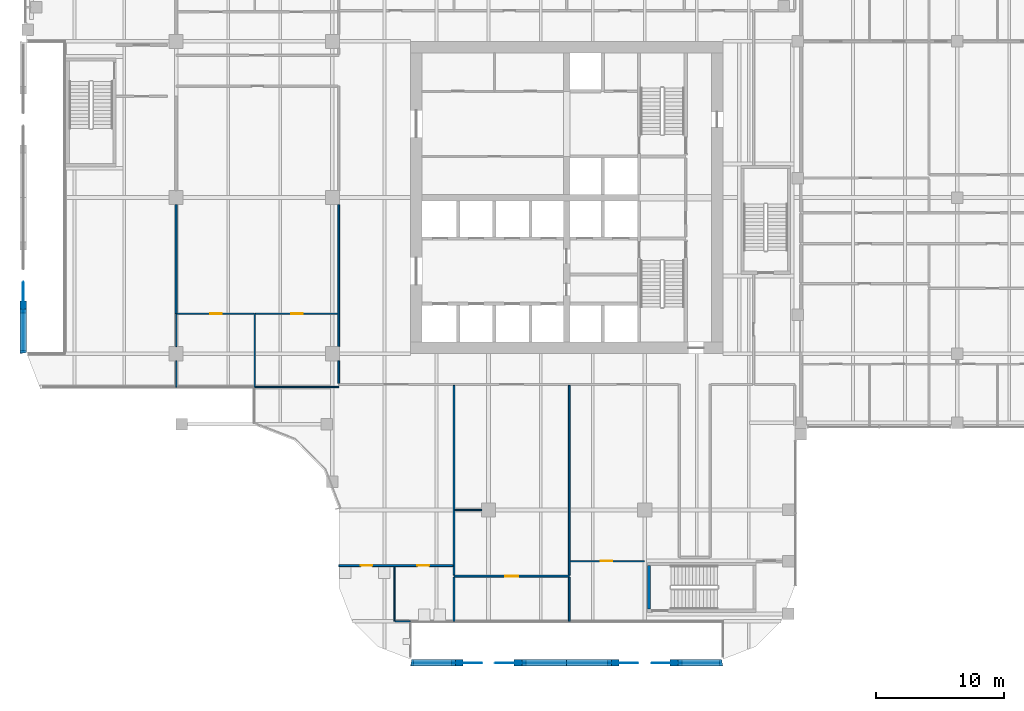
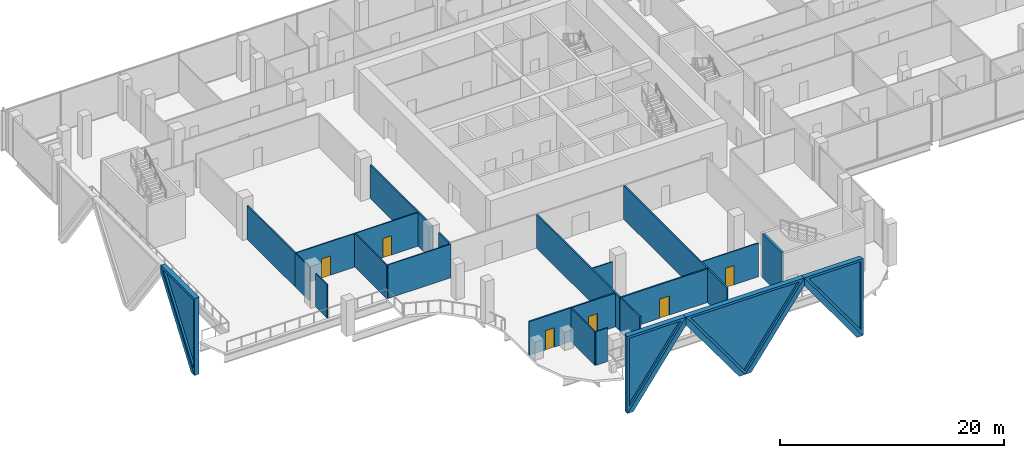
# One storey, part 21 of 33: 29 walls, 6 doors, 4 plates, 10 openings.
"""IFC4 building model written with IfcOpenShell, lengths in metres."""

from ifc_helpers import new_model, si_unit, direction, frame, frame_2d, origin, place, context, subcontext, project, spatial, polyline, rectangle, outline, extrude, faceted_brep, source, transform, mapped, material, layer, layer_set, type_object, element, fill, save


model = new_model("IFC4")

# Units and contexts
model_context = context("Model", 3, precision=1e-05, world=origin(), true_north=direction((0.0, 1.0)))
body_context = subcontext(model_context, "Body", "Model", "MODEL_VIEW")
ifc_project = project(units=[si_unit("LENGTHUNIT", "METRE"), si_unit("AREAUNIT", "SQUARE_METRE"), si_unit("VOLUMEUNIT", "CUBIC_METRE"), si_unit("PLANEANGLEUNIT", "RADIAN"), si_unit("MASSUNIT", "GRAM", prefix="KILO")], contexts=[model_context])

# Site, building, storey
site_placement = place(None, origin())
site = spatial("IfcSite", under=ifc_project, at=site_placement, CompositionType="ELEMENT")
building_placement = place(site_placement, origin())
building = spatial("IfcBuilding", under=site, at=building_placement, Name="Tessera Gate Towers", CompositionType="ELEMENT")
storey_placement = place(building_placement, frame((0.0, 0.0, 12.0)))
storey = spatial("IfcBuildingStorey", under=building, at=storey_placement, Name="L02", CompositionType="ELEMENT", Elevation=12.0)

# Walls
ifc_material_1 = material(Name="Concrete C40/50", Category="concrete")
ifc_layer_1 = layer(ifc_material_1, 0.25)
ifc_layer_set_1 = layer_set([ifc_layer_1], Name="CORE ENCLOSURE WALL 250")
wall_type_1 = type_object("IfcWallType", Name="CORE ENCLOSURE WALL 250", PredefinedType="SOLIDWALL", material=ifc_layer_set_1)
wall_1_placement = place(storey_placement, frame((49.125, 4.449951171875, 0.0), z_axis=(0.0, 0.0, 1.0), x_axis=(0.0, 1.0, 0.0)))
element("IfcWall", 1, at=wall_1_placement, inside=storey, type_object=wall_type_1, Name="L02 ST4 enclosure wall", PredefinedType="SOLIDWALL", context=body_context, shape_type="SweptSolid", body=[
    extrude(rectangle(XDim=3.400146484375, YDim=0.25, at=frame_2d((1.7001953125, 0.0))), origin(), (0.0, 0.0, 1.0), 4.800048828125),
])
ifc_material_2 = material(Name="Gypsum board on steel studs, mineral wool", Category="steel")
ifc_layer_2 = layer(ifc_material_2, 0.14990234375)
ifc_layer_set_2 = layer_set([ifc_layer_2], Name="CORRIDOR WALL 150")
wall_type_2 = type_object("IfcWallType", Name="CORRIDOR WALL 150", PredefinedType="PARTITIONING", material=ifc_layer_set_2)
wall_2_placement = place(storey_placement, frame((24.89990234375, 22.075927734375, 0.0), z_axis=(0.0, 0.0, 1.0), x_axis=(0.0, 1.0, 0.0)))
element("IfcWall", 2, at=wall_2_placement, inside=storey, type_object=wall_type_2, Name="PODIUM-L02-PW-038", PredefinedType="PARTITIONING", context=body_context, shape_type="SweptSolid", body=[
    extrude(rectangle(XDim=1.773193359375, YDim=0.14990234375, at=frame_2d((0.88671875, 0.0))), origin(), (0.0, 0.0, 1.0), 3.672119140625),
])
wall_3_placement = place(storey_placement, frame((24.89990234375, 24.950927734375, 0.0), z_axis=(0.0, 0.0, 1.0), x_axis=(0.0, 1.0, 0.0)))
element("IfcWall", 3, at=wall_3_placement, inside=storey, type_object=wall_type_2, Name="PODIUM-L02-PW-054", PredefinedType="PARTITIONING", context=body_context, shape_type="SweptSolid", body=[
    extrude(rectangle(XDim=11.09814453125, YDim=0.14990234375, at=frame_2d((5.549072265625, 0.0))), origin(), (0.0, 0.0, 1.0), 3.672119140625),
])
ifc_material_3 = material(Name="Glass", Category="glass")
ifc_layer_3 = layer(ifc_material_3, 0.10009765625)
ifc_layer_set_3 = layer_set([ifc_layer_3], Name="GLAZED PARTITION 100")
wall_type_3 = type_object("IfcWallType", Name="GLAZED PARTITION 100", PredefinedType="PARTITIONING", material=ifc_layer_set_3)
wall_4_placement = place(storey_placement, frame((12.199951171875, 21.800048828125, 0.0), z_axis=(0.0, 0.0, 1.0), x_axis=(0.0, 1.0, 0.0)))
element("IfcWall", 4, at=wall_4_placement, inside=storey, type_object=wall_type_3, Name="PODIUM-L02-PW-031", PredefinedType="PARTITIONING", context=body_context, shape_type="SweptSolid", body=[
    extrude(rectangle(XDim=2.049072265625, YDim=0.10009765625, at=frame_2d((1.0244140625, 0.0))), origin(), (0.0, 0.0, 1.0), 3.672119140625),
])
wall_5_placement = place(storey_placement, frame((18.38623046875, 21.800048828125, 0.0), z_axis=(0.0, 0.0, 1.0), x_axis=(1.0, 0.0, 0.0)))
element("IfcWall", 5, at=wall_5_placement, inside=storey, type_object=wall_type_3, Name="PODIUM-L02-PW-033", PredefinedType="PARTITIONING", context=body_context, shape_type="SweptSolid", body=[
    extrude(rectangle(XDim=6.513671875, YDim=0.10009765625, at=frame_2d((3.2568359375, 0.0))), origin(), (0.0, 0.0, 1.0), 3.672119140625),
])
wall_6_placement = place(storey_placement, frame((12.199951171875, 24.950927734375, 0.0), z_axis=(0.0, 0.0, 1.0), x_axis=(0.0, 1.0, 0.0)))
element("IfcWall", 6, at=wall_6_placement, inside=storey, type_object=wall_type_3, Name="PODIUM-L02-PW-053", PredefinedType="PARTITIONING", context=body_context, shape_type="SweptSolid", body=[
    extrude(rectangle(XDim=2.572998046875, YDim=0.10009765625, at=frame_2d((1.28662109375, 0.0))), origin(), (0.0, 0.0, 1.0), 3.672119140625),
])

# Wall, opening, door
wall_7_placement = place(storey_placement, frame((18.2841796875, 27.52490234375, 0.0), z_axis=(0.0, 0.0, 1.0), x_axis=(-1.0, 0.0, 0.0)))
wall_7 = element("IfcWall", 7, at=wall_7_placement, inside=storey, type_object=wall_type_3, Name="PODIUM-L02-PW-056", PredefinedType="PARTITIONING", context=body_context, shape_type="SweptSolid", body=[
    extrude(rectangle(XDim=6.00830078125, YDim=0.10009765625, at=frame_2d((3.004150390625, 0.0))), origin(), (0.0, 0.0, 1.0), 3.672119140625),
])
shared_shape_1 = source(origin(), body_context, "Body", "SweptSolid", [
    extrude(rectangle(XDim=0.89990234375, YDim=2.10009765625, at=frame_2d((0.449951171875, 1.050048828125))), frame((0.0, 0.06005859375, 0.0), z_axis=(0.0, -1.0, 0.0), x_axis=(1.0, 0.0, 0.0)), (0.0, 0.0, 1.0), 0.1201171875),
])
opening_1_placement = place(wall_7_placement, frame((2.50830078125, 0.0, 0.0)))
opening_1 = element("IfcOpeningElement", 8, at=opening_1_placement, cuts=wall_7, Name="Opening D690-P03-09", PredefinedType="OPENING", context=body_context, shape_type="MappedRepresentation", body=[
    mapped(shared_shape_1, transform((0.0, 0.0, 0.0), scale=1.0)),
])
ifc_material_4 = material(Name="Glass in aluminium frame", Category="aluminium")
door_type_1 = type_object("IfcDoorType", Name="GLAZED DOOR 900 NOT RATED", OperationType="NOTDEFINED", PredefinedType="DOOR", material=ifc_material_4)
shared_shape_2 = source(origin(), body_context, "Body", "SweptSolid", [
    extrude(rectangle(XDim=0.89990234375, YDim=2.10009765625, at=frame_2d((0.449951171875, 1.050048828125))), frame((0.0, 0.02490234375, 0.0), z_axis=(0.0, -1.0, 0.0), x_axis=(1.0, 0.0, 0.0)), (0.0, 0.0, 1.0), 0.050048828125),
])
door_1_placement = place(opening_1_placement, origin())
door_1 = element("IfcDoor", 9, at=door_1_placement, inside=storey, type_object=door_type_1, Name="PODIUM-L02-PD-029", OperationType="SINGLE_SWING_RIGHT", OverallHeight=2.10009765625, OverallWidth=0.89990234375, PredefinedType="DOOR", context=body_context, shape_type="MappedRepresentation", body=[
    mapped(shared_shape_2, transform((0.0, 0.0, 0.0), scale=1.0)),
])
fill(opening_1, door_1)

wall_8_placement = place(storey_placement, frame((24.823974609375, 27.52490234375, 0.0), z_axis=(0.0, 0.0, 1.0), x_axis=(-1.0, 0.0, 0.0)))
wall_8 = element("IfcWall", 10, at=wall_8_placement, inside=storey, type_object=wall_type_3, Name="PODIUM-L02-PW-057", PredefinedType="PARTITIONING", context=body_context, shape_type="SweptSolid", body=[
    extrude(rectangle(XDim=6.437744140625, YDim=0.10009765625, at=frame_2d((3.21875, 0.0))), origin(), (0.0, 0.0, 1.0), 3.672119140625),
])
opening_2_placement = place(wall_8_placement, frame((2.73779296875, 0.0, 0.0)))
opening_2 = element("IfcOpeningElement", 11, at=opening_2_placement, cuts=wall_8, Name="Opening D690-P03-10", PredefinedType="OPENING", context=body_context, shape_type="MappedRepresentation", body=[
    mapped(shared_shape_1, transform((0.0, 0.0, 0.0), scale=1.0)),
])
door_2_placement = place(opening_2_placement, origin())
door_2 = element("IfcDoor", 12, at=door_2_placement, inside=storey, type_object=door_type_1, Name="PODIUM-L02-PD-031", OperationType="SINGLE_SWING_RIGHT", OverallHeight=2.10009765625, OverallWidth=0.89990234375, PredefinedType="DOOR", context=body_context, shape_type="MappedRepresentation", body=[
    mapped(shared_shape_2, transform((0.0, 0.0, 0.0), scale=1.0)),
])
fill(opening_2, door_2)

# Walls
ifc_material_5 = material(Name="Gypsum board on steel studs", Category="steel")
ifc_layer_4 = layer(ifc_material_5, 0.10009765625)
ifc_layer_set_4 = layer_set([ifc_layer_4], Name="PARTITION 100")
wall_type_4 = type_object("IfcWallType", Name="PARTITION 100", PredefinedType="PARTITIONING", material=ifc_layer_set_4)
wall_9_placement = place(storey_placement, frame((29.248046875, 3.5, 0.0), z_axis=(0.0, 0.0, 1.0), x_axis=(0.0, 1.0, 0.0)))
element("IfcWall", 13, at=wall_9_placement, inside=storey, type_object=wall_type_4, Name="PODIUM-L02-PW-001", PredefinedType="PARTITIONING", context=body_context, shape_type="SweptSolid", body=[
    extrude(rectangle(XDim=4.27392578125, YDim=0.10009765625, at=frame_2d((2.136962890625, 0.0))), origin(), (0.0, 0.0, 1.0), 3.672119140625),
])
wall_10_placement = place(storey_placement, frame((29.298828125, 3.5, 0.0), z_axis=(0.0, 0.0, 1.0), x_axis=(1.0, 0.0, 0.0)))
element("IfcWall", 14, at=wall_10_placement, inside=storey, type_object=wall_type_4, Name="PODIUM-L02-PW-002", PredefinedType="PARTITIONING", context=body_context, shape_type="SweptSolid", body=[
    extrude(rectangle(XDim=1.201171875, YDim=0.10009765625, at=frame_2d((0.6005859375, 0.0))), origin(), (0.0, 0.0, 1.0), 3.672119140625),
])

# Wall, opening, door
wall_11_placement = place(storey_placement, frame((48.7666015625, 8.199951171875, 0.0), z_axis=(0.0, 0.0, 1.0), x_axis=(-1.0, 0.0, 0.0)))
wall_11 = element("IfcWall", 15, at=wall_11_placement, inside=storey, type_object=wall_type_4, Name="PODIUM-L02-PW-009", PredefinedType="PARTITIONING", context=body_context, shape_type="SweptSolid", body=[
    extrude(rectangle(XDim=5.79052734375, YDim=0.10009765625, at=frame_2d((2.895263671875, 0.0))), origin(), (0.0, 0.0, 1.0), 3.672119140625),
])
opening_3_placement = place(wall_11_placement, frame((2.49072265625, 0.0, 0.0)))
opening_3 = element("IfcOpeningElement", 16, at=opening_3_placement, cuts=wall_11, Name="Opening D190-P03-17", PredefinedType="OPENING", context=body_context, shape_type="MappedRepresentation", body=[
    mapped(shared_shape_1, transform((0.0, 0.0, 0.0), scale=1.0)),
])
ifc_material_6 = material(Name="Timber door leaf in steel frame", Category="steel")
door_type_2 = type_object("IfcDoorType", Name="INTERNAL DOOR 900 NOT RATED", OperationType="NOTDEFINED", PredefinedType="DOOR", material=ifc_material_6)
door_3_placement = place(opening_3_placement, origin())
door_3 = element("IfcDoor", 17, at=door_3_placement, inside=storey, type_object=door_type_2, Name="PODIUM-L02-PD-028", OperationType="SINGLE_SWING_RIGHT", OverallHeight=2.10009765625, OverallWidth=0.89990234375, PredefinedType="DOOR", context=body_context, shape_type="MappedRepresentation", body=[
    mapped(shared_shape_2, transform((0.0, 0.0, 0.0), scale=1.0)),
])
fill(opening_3, door_3)

# Walls
wall_12_placement = place(storey_placement, frame((36.050048828125, 12.199951171875, 0.0), z_axis=(0.0, 0.0, 1.0), x_axis=(-1.0, 0.0, 0.0)))
element("IfcWall", 18, at=wall_12_placement, inside=storey, type_object=wall_type_4, Name="PODIUM-L02-PW-014", PredefinedType="PARTITIONING", context=body_context, shape_type="SweptSolid", body=[
    extrude(rectangle(XDim=2.074951171875, YDim=0.10009765625, at=frame_2d((1.03759765625, 0.0))), origin(), (0.0, 0.0, 1.0), 3.672119140625),
])
wall_13_placement = place(storey_placement, frame((18.3349609375, 21.800048828125, 0.0), z_axis=(0.0, 0.0, 1.0), x_axis=(0.0, 1.0, 0.0)))
element("IfcWall", 19, at=wall_13_placement, inside=storey, type_object=wall_type_4, Name="PODIUM-L02-PW-032", PredefinedType="PARTITIONING", context=body_context, shape_type="SweptSolid", body=[
    extrude(rectangle(XDim=5.724853515625, YDim=0.10009765625, at=frame_2d((2.8623046875, 0.0))), origin(), (0.0, 0.0, 1.0), 3.672119140625),
])
ifc_material_7 = material(Name="Gypsum board on steel studs, mineral wool", Category="steel")
ifc_layer_5 = layer(ifc_material_7, 0.14990234375)
ifc_layer_set_5 = layer_set([ifc_layer_5], Name="TENANCY WALL 150")
wall_type_5 = type_object("IfcWallType", Name="TENANCY WALL 150", PredefinedType="PARTITIONING", material=ifc_layer_set_5)
for number, where, z_axis, x_axis, name in (
    (20, (33.89990234375, 3.5, 0.0), (0.0, 0.0, 1.0), (0.0, 1.0, 0.0), "PODIUM-L02-PW-003"),
    (21, (42.89990234375, 3.5, 0.0), (0.0, 0.0, 1.0), (0.0, 1.0, 0.0), "PODIUM-L02-PW-004"),
):
    element("IfcWall", number, at=place(storey_placement, frame(where, z_axis=z_axis, x_axis=x_axis)), inside=storey, type_object=wall_type_5, Name=name, PredefinedType="PARTITIONING", context=body_context, shape_type="SweptSolid", body=[
        extrude(rectangle(XDim=3.448974609375, YDim=0.14990234375, at=frame_2d((1.724609375, 0.0))), origin(), (0.0, 0.0, 1.0), 3.672119140625),
    ])

# Wall, opening, door
wall_14_placement = place(storey_placement, frame((42.89990234375, 7.02490234375, 0.0), z_axis=(0.0, 0.0, 1.0), x_axis=(-1.0, 0.0, 0.0)))
wall_14 = element("IfcWall", 22, at=wall_14_placement, inside=storey, type_object=wall_type_5, Name="PODIUM-L02-PW-005", PredefinedType="PARTITIONING", context=body_context, shape_type="SweptSolid", body=[
    extrude(rectangle(XDim=9.0, YDim=0.14990234375, at=frame_2d((4.5, 0.0))), origin(), (0.0, 0.0, 1.0), 3.672119140625),
])
shared_shape_3 = source(origin(), body_context, "Body", "SweptSolid", [
    extrude(rectangle(XDim=1.0, YDim=2.10009765625, at=frame_2d((0.5, 1.050048828125))), frame((0.0, 0.0849609375, 0.0), z_axis=(0.0, -1.0, 0.0), x_axis=(1.0, 0.0, 0.0)), (0.0, 0.0, 1.0), 0.169921875),
])
opening_4_placement = place(wall_14_placement, frame((4.0, 0.0, 0.0)))
opening_4 = element("IfcOpeningElement", 23, at=opening_4_placement, cuts=wall_14, Name="Opening D1100-P03-01", PredefinedType="OPENING", context=body_context, shape_type="MappedRepresentation", body=[
    mapped(shared_shape_3, transform((0.0, 0.0, 0.0), scale=1.0)),
])
ifc_material_8 = material(Name="Timber door leaf in steel frame", Category="steel")
door_type_3 = type_object("IfcDoorType", Name="INTERNAL DOOR 1000 NOT RATED", OperationType="NOTDEFINED", PredefinedType="DOOR", material=ifc_material_8)
shared_shape_4 = source(origin(), body_context, "Body", "SweptSolid", [
    extrude(rectangle(XDim=1.0, YDim=2.10009765625, at=frame_2d((0.5, 1.050048828125))), frame((0.0, 0.02490234375, 0.0), z_axis=(0.0, -1.0, 0.0), x_axis=(1.0, 0.0, 0.0)), (0.0, 0.0, 1.0), 0.050048828125),
])
door_4_placement = place(opening_4_placement, origin())
door_4 = element("IfcDoor", 24, at=door_4_placement, inside=storey, type_object=door_type_3, Name="PODIUM-L02-PD-041", OperationType="SINGLE_SWING_RIGHT", OverallHeight=2.10009765625, OverallWidth=1.0, PredefinedType="DOOR", context=body_context, shape_type="MappedRepresentation", body=[
    mapped(shared_shape_4, transform((0.0, 0.0, 0.0), scale=1.0)),
])
fill(opening_4, door_4)

# Walls
for number, where, z_axis, x_axis, name in (
    (25, (33.89990234375, 7.10107421875, 0.0), (0.0, 0.0, 1.0), (0.0, 1.0, 0.0), "PODIUM-L02-PW-006"),
    (26, (42.89990234375, 7.10107421875, 0.0), (0.0, 0.0, 1.0), (0.0, 1.0, 0.0), "PODIUM-L02-PW-007"),
):
    element("IfcWall", number, at=place(storey_placement, frame(where, z_axis=z_axis, x_axis=x_axis)), inside=storey, type_object=wall_type_5, Name=name, PredefinedType="PARTITIONING", context=body_context, shape_type="SweptSolid", body=[
        extrude(rectangle(XDim=14.822998046875, YDim=0.14990234375, at=frame_2d((7.41162109375, 0.0))), origin(), (0.0, 0.0, 1.0), 3.672119140625),
    ])

# Wall, openings, doors
wall_15_placement = place(storey_placement, frame((33.823974609375, 7.85009765625, 0.0), z_axis=(0.0, 0.0, 1.0), x_axis=(-1.0, 0.0, 0.0)))
wall_15 = element("IfcWall", 27, at=wall_15_placement, inside=storey, type_object=wall_type_5, Name="PODIUM-L02-PW-008", PredefinedType="PARTITIONING", context=body_context, shape_type="SweptSolid", body=[
    extrude(rectangle(XDim=8.924072265625, YDim=0.14990234375, at=frame_2d((4.4619140625, 0.0))), origin(), (0.0, 0.0, 1.0), 3.672119140625),
])
shared_shape_5 = source(origin(), body_context, "Body", "SweptSolid", [
    extrude(rectangle(XDim=0.89990234375, YDim=2.10009765625, at=frame_2d((0.449951171875, 1.050048828125))), frame((0.0, 0.0849609375, 0.0), z_axis=(0.0, -1.0, 0.0), x_axis=(1.0, 0.0, 0.0)), (0.0, 0.0, 1.0), 0.169921875),
])
opening_5_placement = place(wall_15_placement, frame((6.323974609375, 0.0, 0.0)))
opening_5 = element("IfcOpeningElement", 28, at=opening_5_placement, cuts=wall_15, Name="Opening D190-P03-04", PredefinedType="OPENING", context=body_context, shape_type="MappedRepresentation", body=[
    mapped(shared_shape_5, transform((0.0, 0.0, 0.0), scale=1.0)),
])
opening_6_placement = place(wall_15_placement, frame((1.876220703125, 0.0, 0.0)))
opening_6 = element("IfcOpeningElement", 29, at=opening_6_placement, cuts=wall_15, Name="Opening D190-P03-10", PredefinedType="OPENING", context=body_context, shape_type="MappedRepresentation", body=[
    mapped(shared_shape_5, transform((0.0, 0.0, 0.0), scale=1.0)),
])
door_5_placement = place(opening_5_placement, origin())
door_5 = element("IfcDoor", 30, at=door_5_placement, inside=storey, type_object=door_type_2, Name="PODIUM-L02-PD-012", OperationType="SINGLE_SWING_RIGHT", OverallHeight=2.10009765625, OverallWidth=0.89990234375, PredefinedType="DOOR", context=body_context, shape_type="MappedRepresentation", body=[
    mapped(shared_shape_2, transform((0.0, 0.0, 0.0), scale=1.0)),
])
fill(opening_5, door_5)
door_6_placement = place(opening_6_placement, origin())
door_6 = element("IfcDoor", 31, at=door_6_placement, inside=storey, type_object=door_type_2, Name="PODIUM-L02-PD-018", OperationType="SINGLE_SWING_RIGHT", OverallHeight=2.10009765625, OverallWidth=0.89990234375, PredefinedType="DOOR", context=body_context, shape_type="MappedRepresentation", body=[
    mapped(shared_shape_2, transform((0.0, 0.0, 0.0), scale=1.0)),
])
fill(opening_6, door_6)

# Wall
wall_16_placement = place(storey_placement, frame((12.199951171875, 27.52490234375, 0.0), z_axis=(0.0, 0.0, 1.0), x_axis=(0.0, 1.0, 0.0)))
element("IfcWall", 32, at=wall_16_placement, inside=storey, type_object=wall_type_5, Name="PODIUM-L02-PW-055", PredefinedType="PARTITIONING", context=body_context, shape_type="SweptSolid", body=[
    extrude(rectangle(XDim=8.524169921875, YDim=0.14990234375, at=frame_2d((4.26220703125, 0.0))), origin(), (0.0, 0.0, 1.0), 3.672119140625),
])

# Wall, opening, plate
ifc_material_9 = material(Name="Precast concrete C60/75 white", Category="concrete")
ifc_layer_6 = layer(ifc_material_9, 0.5)
ifc_layer_set_6 = layer_set([ifc_layer_6], Name="TB2 foot infill panel")
wall_type_6 = type_object("IfcWallType", Name="TB2 foot infill panel", PredefinedType="SOLIDWALL", material=ifc_layer_set_6)
shared_shape_6 = source(origin(), body_context, "Body", "Brep", [
    faceted_brep([(0.046630859375, -0.25, 0.0), (6.10009765625, -0.25, 8.400146484375), (0.0, -0.25, 8.400146484375), (0.0, -0.25, 0.06640625), (0.09326171875, 0.25, 8.400146484375), (6.10009765625, 0.25, 8.400146484375), (0.09326171875, 0.25, 0.064697265625), (0.046630859375, 0.0, 0.0)], [[[0, 1, 2, 3]], [[4, 5, 6]], [[6, 5, 1, 0, 7]], [[5, 4, 2, 1]], [[7, 0, 3]], [[6, 7, 3, 2, 4]]]),
])
wall_17_placement = place(storey_placement, frame((30.5, 0.25, -3.60009765625), z_axis=(0.0, 0.0, 1.0), x_axis=(1.0, 0.0, 0.0)))
wall_17 = element("IfcWall", 33, at=wall_17_placement, inside=storey, type_object=wall_type_6, Name="Foot infill panel T1 TB2-0001", PredefinedType="SOLIDWALL", context=body_context, shape_type="MappedRepresentation", body=[
    mapped(shared_shape_6, transform((0.0, 0.0, 0.0), scale=1.0)),
])
shared_shape_7 = source(origin(), body_context, "Body", "SweptSolid", [
    extrude(outline(polyline([(0.24658203125, 0.705322265625), (5.61181640625, 8.150146484375), (0.24658203125, 8.150146484375), (0.24658203125, 0.705322265625)])), frame((0.0, 0.260009765625, 0.0), z_axis=(0.0, -1.0, 0.0), x_axis=(1.0, 0.0, 0.0)), (0.0, 0.0, 1.0), 0.52001953125),
])
opening_7_placement = place(wall_17_placement, origin())
opening_7 = element("IfcOpeningElement", 34, at=opening_7_placement, cuts=wall_17, Name="Opening T1-PL1-0564", PredefinedType="OPENING", context=body_context, shape_type="MappedRepresentation", body=[
    mapped(shared_shape_7, transform((0.0, 0.0, 0.0), scale=1.0)),
])
ifc_material_10 = material(Name="Low-e laminated glass", Category="glass")
ifc_layer_7 = layer(ifc_material_10, 0.06005859375)
ifc_layer_set_7 = layer_set([ifc_layer_7], Name="PL1 triangular pane")
plate_type = type_object("IfcPlateType", Name="PL1 triangular pane", PredefinedType="SHEET", material=ifc_layer_set_7)
shared_shape_8 = source(origin(), body_context, "Body", "SweptSolid", [
    extrude(outline(polyline([(0.24658203125, 0.705322265625), (5.61181640625, 8.150146484375), (0.24658203125, 8.150146484375), (0.24658203125, 0.705322265625)])), frame((0.0, 0.030029296875, 0.0), z_axis=(0.0, -1.0, 0.0), x_axis=(1.0, 0.0, 0.0)), (0.0, 0.0, 1.0), 0.06005859375),
])
plate_1_placement = place(opening_7_placement, origin())
plate_1 = element("IfcPlate", 35, at=plate_1_placement, inside=storey, type_object=plate_type, Name="Glass pane T1 PL1-0564", PredefinedType="SHEET", context=body_context, shape_type="MappedRepresentation", body=[
    mapped(shared_shape_8, transform((0.0, 0.0, 0.0), scale=1.0)),
])
fill(opening_7, plate_1)

shared_shape_9 = source(origin(), body_context, "Body", "SweptSolid", [
    extrude(outline(polyline([(6.10009765625, 0.0), (12.199951171875, 8.400146484375), (0.0, 8.400146484375), (6.10009765625, 0.0)])), frame((0.0, 0.25, 0.0), z_axis=(0.0, -1.0, 0.0), x_axis=(1.0, 0.0, 0.0)), (0.0, 0.0, 1.0), 0.5),
])
wall_18_placement = place(storey_placement, frame((36.60009765625, 0.25, -3.60009765625), z_axis=(0.0, 0.0, 1.0), x_axis=(1.0, 0.0, 0.0)))
wall_18 = element("IfcWall", 36, at=wall_18_placement, inside=storey, type_object=wall_type_6, Name="Foot infill panel T1 TB2-0002", PredefinedType="SOLIDWALL", context=body_context, shape_type="MappedRepresentation", body=[
    mapped(shared_shape_9, transform((0.0, 0.0, 0.0), scale=1.0)),
])
shared_shape_10 = source(origin(), body_context, "Body", "SweptSolid", [
    extrude(outline(polyline([(6.10009765625, 0.425537109375), (11.70947265625, 8.150146484375), (0.490478515625, 8.150146484375), (6.10009765625, 0.425537109375)])), frame((0.0, 0.260009765625, 0.0), z_axis=(0.0, -1.0, 0.0), x_axis=(1.0, 0.0, 0.0)), (0.0, 0.0, 1.0), 0.52001953125),
])
opening_8_placement = place(wall_18_placement, origin())
opening_8 = element("IfcOpeningElement", 37, at=opening_8_placement, cuts=wall_18, Name="Opening T1-PL1-0565", PredefinedType="OPENING", context=body_context, shape_type="MappedRepresentation", body=[
    mapped(shared_shape_10, transform((0.0, 0.0, 0.0), scale=1.0)),
])
shared_shape_11 = source(origin(), body_context, "Body", "SweptSolid", [
    extrude(outline(polyline([(6.10009765625, 0.425537109375), (11.70947265625, 8.150146484375), (0.490478515625, 8.150146484375), (6.10009765625, 0.425537109375)])), frame((0.0, 0.030029296875, 0.0), z_axis=(0.0, -1.0, 0.0), x_axis=(1.0, 0.0, 0.0)), (0.0, 0.0, 1.0), 0.06005859375),
])
plate_2_placement = place(opening_8_placement, origin())
plate_2 = element("IfcPlate", 38, at=plate_2_placement, inside=storey, type_object=plate_type, Name="Glass pane T1 PL1-0565", PredefinedType="SHEET", context=body_context, shape_type="MappedRepresentation", body=[
    mapped(shared_shape_11, transform((0.0, 0.0, 0.0), scale=1.0)),
])
fill(opening_8, plate_2)

shared_shape_12 = source(origin(), body_context, "Body", "Brep", [
    faceted_brep([(6.053466796875, -0.25, 0.0), (6.10009765625, -0.25, 0.06640625), (6.10009765625, -0.25, 8.400146484375), (0.0, -0.25, 8.400146484375), (0.0, 0.25, 8.400146484375), (6.0068359375, 0.25, 8.400146484375), (6.0068359375, 0.25, 0.064697265625), (6.053466796875, 0.0, 0.0)], [[[0, 1, 2, 3]], [[4, 5, 6]], [[1, 0, 7]], [[5, 4, 3, 2]], [[4, 6, 7, 0, 3]], [[1, 7, 6, 5, 2]]]),
])
wall_19_placement = place(storey_placement, frame((48.800048828125, 0.25, -3.60009765625), z_axis=(0.0, 0.0, 1.0), x_axis=(1.0, 0.0, 0.0)))
wall_19 = element("IfcWall", 39, at=wall_19_placement, inside=storey, type_object=wall_type_6, Name="Foot infill panel T1 TB2-0003", PredefinedType="SOLIDWALL", context=body_context, shape_type="MappedRepresentation", body=[
    mapped(shared_shape_12, transform((0.0, 0.0, 0.0), scale=1.0)),
])
shared_shape_13 = source(origin(), body_context, "Body", "SweptSolid", [
    extrude(outline(polyline([(5.853515625, 8.150146484375), (0.48828125, 8.150146484375), (5.853515625, 0.705322265625), (5.853515625, 8.150146484375)])), frame((0.0, 0.260009765625, 0.0), z_axis=(0.0, -1.0, 0.0), x_axis=(1.0, 0.0, 0.0)), (0.0, 0.0, 1.0), 0.52001953125),
])
opening_9_placement = place(wall_19_placement, origin())
opening_9 = element("IfcOpeningElement", 40, at=opening_9_placement, cuts=wall_19, Name="Opening T1-PL1-0566", PredefinedType="OPENING", context=body_context, shape_type="MappedRepresentation", body=[
    mapped(shared_shape_13, transform((0.0, 0.0, 0.0), scale=1.0)),
])
shared_shape_14 = source(origin(), body_context, "Body", "SweptSolid", [
    extrude(outline(polyline([(5.853515625, 8.150146484375), (0.48828125, 8.150146484375), (5.853515625, 0.705322265625), (5.853515625, 8.150146484375)])), frame((0.0, 0.030029296875, 0.0), z_axis=(0.0, -1.0, 0.0), x_axis=(1.0, 0.0, 0.0)), (0.0, 0.0, 1.0), 0.06005859375),
])
plate_3_placement = place(opening_9_placement, origin())
plate_3 = element("IfcPlate", 41, at=plate_3_placement, inside=storey, type_object=plate_type, Name="Glass pane T1 PL1-0566", PredefinedType="SHEET", context=body_context, shape_type="MappedRepresentation", body=[
    mapped(shared_shape_14, transform((0.0, 0.0, 0.0), scale=1.0)),
])
fill(opening_9, plate_3)

wall_20_placement = place(storey_placement, frame((0.25, 30.5, -3.60009765625), z_axis=(0.0, 0.0, 1.0), x_axis=(0.0, -1.0, 0.0)))
wall_20 = element("IfcWall", 42, at=wall_20_placement, inside=storey, type_object=wall_type_6, Name="Foot infill panel T1 TB2-0006", PredefinedType="SOLIDWALL", context=body_context, shape_type="MappedRepresentation", body=[
    mapped(shared_shape_12, transform((0.0, 0.0, 0.0), scale=1.0)),
])
opening_10_placement = place(wall_20_placement, origin())
opening_10 = element("IfcOpeningElement", 43, at=opening_10_placement, cuts=wall_20, Name="Opening T1-PL1-0569", PredefinedType="OPENING", context=body_context, shape_type="MappedRepresentation", body=[
    mapped(shared_shape_13, transform((0.0, 0.0, 0.0), scale=1.0)),
])
plate_4_placement = place(opening_10_placement, origin())
plate_4 = element("IfcPlate", 44, at=plate_4_placement, inside=storey, type_object=plate_type, Name="Glass pane T1 PL1-0569", PredefinedType="SHEET", context=body_context, shape_type="MappedRepresentation", body=[
    mapped(shared_shape_14, transform((0.0, 0.0, 0.0), scale=1.0)),
])
fill(opening_10, plate_4)

# Walls
ifc_material_11 = material(Name="Precast concrete C60/75 white", Category="concrete")
ifc_layer_8 = layer(ifc_material_11, 0.5)
ifc_layer_set_8 = layer_set([ifc_layer_8], Name="TB1 foot rib")
wall_type_7 = type_object("IfcWallType", Name="TB1 foot rib", PredefinedType="SOLIDWALL", material=ifc_layer_set_8)
shared_shape_15 = source(origin(), body_context, "Body", "Brep", [
    faceted_brep([(6.099853515625, -0.25, 0.000244140625), (0.0, -0.25, 8.400146484375), (0.0, -0.25, 7.549072265625), (5.482177734375, -0.25, 0.0), (6.099853515625, -0.25, 0.0), (5.482177734375, 0.25, 0.0), (0.0, 0.25, 7.549072265625), (0.0, 0.25, 8.400146484375), (6.099853515625, 0.25, 0.000244140625), (6.099853515625, 0.25, 0.0)], [[[0, 1, 2, 3, 4]], [[5, 6, 7, 8, 9]], [[8, 7, 1, 0]], [[7, 6, 2, 1]], [[6, 5, 3, 2]], [[5, 9, 4, 3]], [[4, 9, 8, 0]]]),
])
wall_21_placement = place(storey_placement, frame((36.60009765625, 0.25, -3.60009765625), z_axis=(0.0, 0.0, 1.0), x_axis=(1.0, 0.0, 0.0)))
element("IfcWall", 45, at=wall_21_placement, inside=storey, type_object=wall_type_7, Name="Foot rib T1 TB1-0002", PredefinedType="SOLIDWALL", context=body_context, shape_type="MappedRepresentation", body=[
    mapped(shared_shape_15, transform((0.0, 0.0, 0.0), scale=1.0)),
])
shared_shape_16 = source(origin(), body_context, "Body", "Brep", [
    faceted_brep([(6.053466796875, -0.25, 8.400146484375), (0.0, -0.25, 0.0), (0.61328125, -0.25, 0.0), (6.053466796875, -0.25, 7.549072265625), (6.053466796875, 0.25, 7.549072265625), (0.61328125, 0.25, 0.0), (0.046630859375, 0.25, 0.0), (0.046630859375, 0.25, 0.064697265625), (6.053466796875, 0.25, 8.400146484375), (0.0, 0.0, 0.0)], [[[0, 1, 2, 3]], [[4, 5, 6, 7, 8]], [[8, 7, 9, 1, 0]], [[6, 5, 2, 1, 9]], [[5, 4, 3, 2]], [[6, 9, 7]], [[3, 4, 8, 0]]]),
])
wall_22_placement = place(storey_placement, frame((30.546630859375, 0.25, -3.60009765625), z_axis=(0.0, 0.0, 1.0), x_axis=(1.0, 0.0, 0.0)))
element("IfcWall", 46, at=wall_22_placement, inside=storey, type_object=wall_type_7, Name="Foot rib T1 TB1-0003", PredefinedType="SOLIDWALL", context=body_context, shape_type="MappedRepresentation", body=[
    mapped(shared_shape_16, transform((0.0, 0.0, 0.0), scale=1.0)),
])
shared_shape_17 = source(origin(), body_context, "Body", "Brep", [
    faceted_brep([(6.053466796875, -0.25, 0.0), (0.0, -0.25, 8.400146484375), (0.0, -0.25, 7.549072265625), (5.440185546875, -0.25, 0.0), (5.440185546875, 0.25, 0.0), (0.0, 0.25, 7.549072265625), (0.0, 0.25, 8.400146484375), (6.0068359375, 0.25, 0.064697265625), (6.0068359375, 0.25, 0.0), (6.053466796875, 0.0, 0.0)], [[[0, 1, 2, 3]], [[4, 5, 6, 7, 8]], [[7, 6, 1, 0, 9]], [[6, 5, 2, 1]], [[5, 4, 3, 2]], [[4, 8, 9, 0, 3]], [[9, 8, 7]]]),
])
for number, where, z_axis, x_axis, name in (
    (47, (48.800048828125, 0.25, -3.60009765625), (0.0, 0.0, 1.0), (1.0, 0.0, 0.0), "Foot rib T1 TB1-0006"),
    (48, (0.25, 30.5, -3.60009765625), (0.0, 0.0, 1.0), (0.0, -1.0, 0.0), "Foot rib T1 TB1-0014"),
):
    element("IfcWall", number, at=place(storey_placement, frame(where, z_axis=z_axis, x_axis=x_axis)), inside=storey, type_object=wall_type_7, Name=name, PredefinedType="SOLIDWALL", context=body_context, shape_type="MappedRepresentation", body=[
        mapped(shared_shape_17, transform((0.0, 0.0, 0.0), scale=1.0)),
    ])
shared_shape_18 = source(origin(), body_context, "Body", "SweptSolid", [
    extrude(outline(polyline([(6.10009765625, 8.400146484375), (0.0, 0.0), (0.617919921875, 0.0), (6.10009765625, 7.549072265625), (6.10009765625, 8.400146484375)])), frame((0.0, 0.25, 0.0), z_axis=(0.0, -1.0, 0.0), x_axis=(1.0, 0.0, 0.0)), (0.0, 0.0, 1.0), 0.5),
])
wall_23_placement = place(storey_placement, frame((42.699951171875, 0.25, -3.60009765625), z_axis=(0.0, 0.0, 1.0), x_axis=(1.0, 0.0, 0.0)))
element("IfcWall", 49, at=wall_23_placement, inside=storey, type_object=wall_type_7, Name="Foot rib T1 TB1-0007", PredefinedType="SOLIDWALL", context=body_context, shape_type="MappedRepresentation", body=[
    mapped(shared_shape_18, transform((0.0, 0.0, 0.0), scale=1.0)),
])

save(model, "model.ifc")
